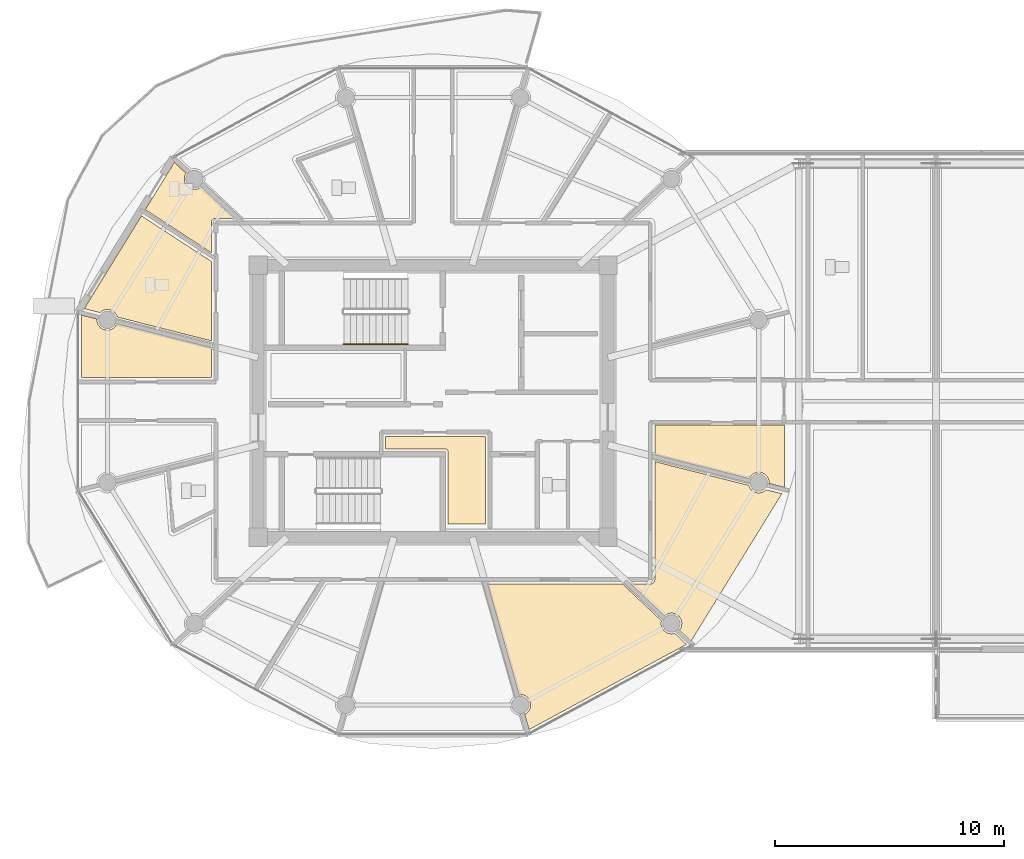
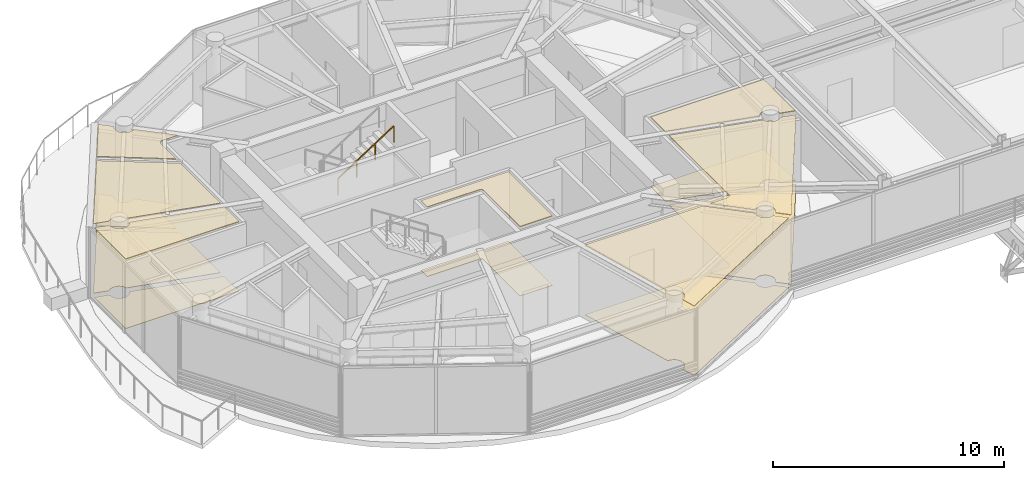
# One storey, part 23 of 31: 14 coverings, 1 railing.
"""IFC4 building model written with IfcOpenShell, lengths in metres."""

from ifc_helpers import new_model, si_unit, direction, frame, origin, origin_2d, place, context, subcontext, project, spatial, polyline, rectangle, outline, extrude, material, layer, layer_set, type_object, element, save


model = new_model("IFC4")

# Units and contexts
model_context = context("Model", 3, precision=1e-05, world=origin(), true_north=direction((0.0, 1.0)))
body_context = subcontext(model_context, "Body", "Model", "MODEL_VIEW")
ifc_project = project(units=[si_unit("LENGTHUNIT", "METRE"), si_unit("AREAUNIT", "SQUARE_METRE"), si_unit("VOLUMEUNIT", "CUBIC_METRE"), si_unit("PLANEANGLEUNIT", "RADIAN"), si_unit("MASSUNIT", "GRAM", prefix="KILO")], contexts=[model_context])

# Site, building, storey
site_placement = place(None, origin())
site = spatial("IfcSite", under=ifc_project, at=site_placement, CompositionType="ELEMENT")
building_placement = place(site_placement, origin())
building = spatial("IfcBuilding", under=site, at=building_placement, Name="Norrkilde Senior Care Towers", CompositionType="ELEMENT")
storey_placement = place(building_placement, frame((0.0, 0.0, 199.800048828125)))
storey = spatial("IfcBuildingStorey", under=building, at=storey_placement, Name="L62", CompositionType="ELEMENT", Elevation=199.800048828125)

# Coverings
ifc_material_1 = material(Name="Nordic Ash Timber", Category="wood")
ifc_layer_1 = layer(ifc_material_1, 0.044921875)
ifc_layer_set_1 = layer_set([ifc_layer_1], Name="Nordic Ash Timber")
covering_type_1 = type_object("IfcCoveringType", Name="Acoustic Ash Timber Slatted Ceiling 45", PredefinedType="CEILING", material=ifc_layer_set_1)
covering_1_placement = place(storey_placement, frame((0.0, 0.0, 3.6650390625)))
element("IfcCovering", 1, at=covering_1_placement, inside=storey, type_object=covering_type_1, Name="L62 Suspended Ceiling 0373", PredefinedType="CEILING", context=body_context, shape_type="SweptSolid", body=[
    extrude(outline(polyline([(-27.34521484375, -2.175048828125), (-27.34912109375, -2.1640625), (-27.354248046875, -2.1533203125), (-27.360107421875, -2.143310546875), (-27.3671875, -2.1337890625), (-27.375244140625, -2.125244140625), (-27.3837890625, -2.1171875), (-27.393310546875, -2.110107421875), (-27.4033203125, -2.104248046875), (-27.4140625, -2.09912109375), (-27.425048828125, -2.09521484375), (-27.4365234375, -2.09228515625), (-27.4482421875, -2.090576171875), (-27.4599609375, -2.090087890625), (-30.080078125, -2.090087890625), (-30.080078125, -1.5400390625), (-25.7099609375, -1.5400390625), (-25.7099609375, -5.3798828125), (-27.340087890625, -5.3798828125), (-27.340087890625, -2.2099609375), (-27.340576171875, -2.1982421875), (-27.34228515625, -2.1865234375), (-27.34521484375, -2.175048828125)])), origin(), (0.0, 0.0, 1.0), 0.044921875),
])
covering_2_placement = place(storey_placement, frame((0.0, 0.0, 3.6650390625)))
element("IfcCovering", 2, at=covering_2_placement, inside=storey, type_object=covering_type_1, Name="L62 Suspended Ceiling 0375", PredefinedType="CEILING", context=body_context, shape_type="SweptSolid", body=[
    extrude(outline(polyline([(-37.699951171875, 1.0400390625), (-43.37353515625, 1.0400390625), (-43.37353515625, 3.76708984375), (-42.697509765625, 3.59619140625), (-42.702392578125, 3.558837890625), (-42.68701171875, 3.44091796875), (-42.641357421875, 3.331298828125), (-42.569091796875, 3.237060546875), (-42.474853515625, 3.164794921875), (-42.365234375, 3.119384765625), (-42.247314453125, 3.103759765625), (-42.129638671875, 3.119384765625), (-42.02001953125, 3.164794921875), (-41.92578125, 3.237060546875), (-41.853271484375, 3.331298828125), (-41.834228515625, 3.377685546875), (-37.699951171875, 2.331298828125), (-37.699951171875, 1.0400390625)])), origin(), (0.0, 0.0, 1.0), 0.044921875),
])
covering_3_placement = place(storey_placement, frame((0.0, 0.0, 3.6650390625)))
element("IfcCovering", 3, at=covering_3_placement, inside=storey, type_object=covering_type_1, Name="L62 Suspended Ceiling 0378", PredefinedType="CEILING", context=body_context, shape_type="SweptSolid", body=[
    extrude(outline(polyline([(-12.62646484375, -3.76708984375), (-13.302490234375, -3.59619140625), (-13.297607421875, -3.558837890625), (-13.31298828125, -3.44091796875), (-13.358642578125, -3.331298828125), (-13.430908203125, -3.237060546875), (-13.525146484375, -3.164794921875), (-13.634765625, -3.119384765625), (-13.752685546875, -3.103759765625), (-13.870361328125, -3.119384765625), (-13.97998046875, -3.164794921875), (-14.07421875, -3.237060546875), (-14.146728515625, -3.331298828125), (-14.165771484375, -3.377685546875), (-18.300048828125, -2.331298828125), (-18.300048828125, -1.0400390625), (-12.62646484375, -1.0400390625), (-12.62646484375, -3.76708984375)])), origin(), (0.0, 0.0, 1.0), 0.044921875),
])
covering_4_placement = place(storey_placement, frame((0.0, 0.0, 3.6650390625)))
element("IfcCovering", 4, at=covering_4_placement, inside=storey, type_object=covering_type_1, Name="L62 Suspended Ceiling 0391", PredefinedType="CEILING", context=body_context, shape_type="SweptSolid", body=[
    extrude(outline(polyline([(-23.80029296875, -14.364990234375), (-23.991455078125, -13.690673828125), (-23.954833984375, -13.675537109375), (-23.860595703125, -13.603271484375), (-23.788330078125, -13.509033203125), (-23.742919921875, -13.399169921875), (-23.7275390625, -13.281494140625), (-23.742919921875, -13.163818359375), (-23.788330078125, -13.053955078125), (-23.860595703125, -12.959716796875), (-23.954833984375, -12.887451171875), (-24.064697265625, -12.842041015625), (-24.182373046875, -12.826416015625), (-24.23486328125, -12.833251953125), (-25.60595703125, -8.0), (-19.705322265625, -8.0), (-18.0087890625, -9.6025390625), (-18.009765625, -9.60498046875), (-18.025146484375, -9.72265625), (-18.009765625, -9.840576171875), (-17.964111328125, -9.9501953125), (-17.891845703125, -10.04443359375), (-17.797607421875, -10.11669921875), (-17.68798828125, -10.162109375), (-17.570068359375, -10.177734375), (-17.452392578125, -10.162109375), (-17.42724609375, -10.15185546875), (-16.91357421875, -10.636962890625), (-23.80029296875, -14.364990234375)])), origin(), (0.0, 0.0, 1.0), 0.044921875),
])
covering_5_placement = place(storey_placement, frame((0.0, 0.0, 3.6650390625)))
element("IfcCovering", 5, at=covering_5_placement, inside=storey, type_object=covering_type_1, Name="L62 Suspended Ceiling 0392", PredefinedType="CEILING", context=body_context, shape_type="SweptSolid", body=[
    extrude(outline(polyline([(-18.447509765625, -7.992919921875), (-18.436279296875, -7.989501953125), (-18.428955078125, -7.98681640625), (-18.41796875, -7.982421875), (-18.410888671875, -7.97900390625), (-18.400634765625, -7.973388671875), (-18.393798828125, -7.969482421875), (-18.384033203125, -7.962890625), (-18.377685546875, -7.958251953125), (-18.36865234375, -7.95068359375), (-18.36279296875, -7.945556640625), (-18.3544921875, -7.937255859375), (-18.34912109375, -7.931396484375), (-18.341796875, -7.92236328125), (-18.337158203125, -7.916015625), (-18.33056640625, -7.90625), (-18.326416015625, -7.8994140625), (-18.321044921875, -7.888916015625), (-18.317626953125, -7.8818359375), (-18.31298828125, -7.87109375), (-18.310546875, -7.86376953125), (-18.30712890625, -7.852294921875), (-18.30517578125, -7.8447265625), (-18.302734375, -7.833251953125), (-18.3017578125, -7.825439453125), (-18.300537109375, -7.813720703125), (-18.300048828125, -7.805908203125), (-18.300048828125, -7.800048828125), (-18.300048828125, -2.640625), (-14.190185546875, -3.680908203125), (-14.146728515625, -3.786376953125), (-14.07421875, -3.880615234375), (-13.97998046875, -3.952880859375), (-13.870361328125, -3.998291015625), (-13.752685546875, -4.013671875), (-13.634765625, -3.998291015625), (-13.525146484375, -3.952880859375), (-13.430908203125, -3.880615234375), (-13.426025390625, -3.874267578125), (-12.74267578125, -4.04736328125), (-16.71337890625, -10.495849609375), (-17.224365234375, -10.01318359375), (-17.176025390625, -9.9501953125), (-17.130615234375, -9.840576171875), (-17.115234375, -9.72265625), (-17.130615234375, -9.60498046875), (-17.176025390625, -9.4951171875), (-17.24853515625, -9.40087890625), (-17.3427734375, -9.32861328125), (-17.452392578125, -9.283203125), (-17.570068359375, -9.267822265625), (-17.68798828125, -9.283203125), (-17.797607421875, -9.32861328125), (-17.88134765625, -9.392822265625), (-19.355712890625, -8.0), (-18.5, -8.0), (-18.494140625, -7.999755859375), (-18.486328125, -7.99951171875), (-18.474609375, -7.998291015625), (-18.466796875, -7.9970703125), (-18.455322265625, -7.994873046875), (-18.447509765625, -7.992919921875)])), origin(), (0.0, 0.0, 1.0), 0.044921875),
])
ifc_material_2 = material(Name="Gypsum Acoustic Board")
ifc_layer_2 = layer(ifc_material_2, 0.030029296875)
ifc_layer_set_2 = layer_set([ifc_layer_2], Name="Gypsum Acoustic Board")
covering_type_2 = type_object("IfcCoveringType", Name="Medical Cleanable Gypsum Ceiling 30", PredefinedType="CEILING", material=ifc_layer_set_2)
covering_6_placement = place(storey_placement, frame((0.0, 0.0, 3.679931640625)))
element("IfcCovering", 6, at=covering_6_placement, inside=storey, type_object=covering_type_2, Name="L62 Suspended Ceiling 0385", PredefinedType="CEILING", context=body_context, shape_type="SweptSolid", body=[
    extrude(outline(polyline([(-37.525390625, 7.998291015625), (-37.533203125, 7.9970703125), (-37.544677734375, 7.994873046875), (-37.552490234375, 7.992919921875), (-37.563720703125, 7.989501953125), (-37.571044921875, 7.98681640625), (-37.58203125, 7.982421875), (-37.589111328125, 7.97900390625), (-37.599365234375, 7.973388671875), (-37.606201171875, 7.969482421875), (-37.615966796875, 7.962890625), (-37.622314453125, 7.958251953125), (-37.63134765625, 7.95068359375), (-37.63720703125, 7.945556640625), (-37.6455078125, 7.937255859375), (-37.65087890625, 7.931396484375), (-37.658203125, 7.92236328125), (-37.662841796875, 7.916015625), (-37.66943359375, 7.90625), (-37.673583984375, 7.8994140625), (-37.678955078125, 7.888916015625), (-37.682373046875, 7.8818359375), (-37.68701171875, 7.87109375), (-37.689453125, 7.86376953125), (-37.69287109375, 7.852294921875), (-37.69482421875, 7.8447265625), (-37.697265625, 7.833251953125), (-37.6982421875, 7.825439453125), (-37.699462890625, 7.813720703125), (-37.699951171875, 7.805908203125), (-37.699951171875, 7.800048828125), (-37.699951171875, 6.499755859375), (-40.5888671875, 8.380859375), (-39.31591796875, 10.448486328125), (-38.807373046875, 9.9716796875), (-38.823974609375, 9.9501953125), (-38.869384765625, 9.840576171875), (-38.884765625, 9.72265625), (-38.869384765625, 9.60498046875), (-38.823974609375, 9.4951171875), (-38.75146484375, 9.40087890625), (-38.6572265625, 9.32861328125), (-38.547607421875, 9.283203125), (-38.429931640625, 9.267822265625), (-38.31201171875, 9.283203125), (-38.202392578125, 9.32861328125), (-38.158203125, 9.362548828125), (-36.705322265625, 8.0), (-37.5, 8.0), (-37.505859375, 7.999755859375), (-37.513671875, 7.99951171875), (-37.525390625, 7.998291015625)])), origin(), (0.0, 0.0, 1.0), 0.030029296875),
])
covering_7_placement = place(storey_placement, frame((0.0, 0.0, 3.679931640625)))
element("IfcCovering", 7, at=covering_7_placement, inside=storey, type_object=covering_type_2, Name="L62 Suspended Ceiling 0386", PredefinedType="CEILING", context=body_context, shape_type="SweptSolid", body=[
    extrude(outline(polyline([(-40.7568359375, 8.108154296875), (-37.699951171875, 6.117919921875), (-37.699951171875, 2.640625), (-41.809814453125, 3.680908203125), (-41.853271484375, 3.786376953125), (-41.92578125, 3.880615234375), (-42.02001953125, 3.952880859375), (-42.129638671875, 3.998291015625), (-42.247314453125, 4.013671875), (-42.365234375, 3.998291015625), (-42.474853515625, 3.952880859375), (-42.569091796875, 3.880615234375), (-42.573974609375, 3.874267578125), (-43.25732421875, 4.04736328125), (-40.7568359375, 8.108154296875)])), origin(), (0.0, 0.0, 1.0), 0.030029296875),
])
ifc_material_3 = material(Name="Slip-Resistant Porcelain Stone", Category="masonry")
ifc_layer_3 = layer(ifc_material_3, 0.02490234375)
ifc_layer_set_3 = layer_set([ifc_layer_3], Name="Slip-Resistant Porcelain Stone")
covering_type_3 = type_object("IfcCoveringType", Name="Slip-Resistant Porcelain Flooring 25", PredefinedType="FLOORING", material=ifc_layer_set_3)
covering_8_placement = place(storey_placement, origin())
element("IfcCovering", 8, at=covering_8_placement, inside=storey, type_object=covering_type_3, Name="L62 Floor Finish 0373", PredefinedType="FLOORING", context=body_context, shape_type="SweptSolid", body=[
    extrude(outline(polyline([(-27.34521484375, -2.175048828125), (-27.34912109375, -2.1640625), (-27.354248046875, -2.1533203125), (-27.360107421875, -2.143310546875), (-27.3671875, -2.1337890625), (-27.375244140625, -2.125244140625), (-27.3837890625, -2.1171875), (-27.393310546875, -2.110107421875), (-27.4033203125, -2.104248046875), (-27.4140625, -2.09912109375), (-27.425048828125, -2.09521484375), (-27.4365234375, -2.09228515625), (-27.4482421875, -2.090576171875), (-27.4599609375, -2.090087890625), (-30.080078125, -2.090087890625), (-30.080078125, -1.5400390625), (-25.7099609375, -1.5400390625), (-25.7099609375, -5.3798828125), (-27.340087890625, -5.3798828125), (-27.340087890625, -2.2099609375), (-27.340576171875, -2.1982421875), (-27.34228515625, -2.1865234375), (-27.34521484375, -2.175048828125)])), origin(), (0.0, 0.0, 1.0), 0.02490234375),
])
covering_9_placement = place(storey_placement, origin())
element("IfcCovering", 9, at=covering_9_placement, inside=storey, type_object=covering_type_3, Name="L62 Floor Finish 0375", PredefinedType="FLOORING", context=body_context, shape_type="SweptSolid", body=[
    extrude(outline(polyline([(-37.699951171875, 1.0400390625), (-43.37353515625, 1.0400390625), (-43.37353515625, 3.76708984375), (-42.697509765625, 3.59619140625), (-42.702392578125, 3.558837890625), (-42.68701171875, 3.44091796875), (-42.641357421875, 3.331298828125), (-42.569091796875, 3.237060546875), (-42.474853515625, 3.164794921875), (-42.365234375, 3.119384765625), (-42.247314453125, 3.103759765625), (-42.129638671875, 3.119384765625), (-42.02001953125, 3.164794921875), (-41.92578125, 3.237060546875), (-41.853271484375, 3.331298828125), (-41.834228515625, 3.377685546875), (-37.699951171875, 2.331298828125), (-37.699951171875, 1.0400390625)])), origin(), (0.0, 0.0, 1.0), 0.02490234375),
])
covering_10_placement = place(storey_placement, origin())
element("IfcCovering", 10, at=covering_10_placement, inside=storey, type_object=covering_type_3, Name="L62 Floor Finish 0378", PredefinedType="FLOORING", context=body_context, shape_type="SweptSolid", body=[
    extrude(outline(polyline([(-12.62646484375, -3.76708984375), (-13.302490234375, -3.59619140625), (-13.297607421875, -3.558837890625), (-13.31298828125, -3.44091796875), (-13.358642578125, -3.331298828125), (-13.430908203125, -3.237060546875), (-13.525146484375, -3.164794921875), (-13.634765625, -3.119384765625), (-13.752685546875, -3.103759765625), (-13.870361328125, -3.119384765625), (-13.97998046875, -3.164794921875), (-14.07421875, -3.237060546875), (-14.146728515625, -3.331298828125), (-14.165771484375, -3.377685546875), (-18.300048828125, -2.331298828125), (-18.300048828125, -1.0400390625), (-12.62646484375, -1.0400390625), (-12.62646484375, -3.76708984375)])), origin(), (0.0, 0.0, 1.0), 0.02490234375),
])
covering_11_placement = place(storey_placement, origin())
element("IfcCovering", 11, at=covering_11_placement, inside=storey, type_object=covering_type_3, Name="L62 Floor Finish 0385", PredefinedType="FLOORING", context=body_context, shape_type="SweptSolid", body=[
    extrude(outline(polyline([(-37.525390625, 7.998291015625), (-37.533203125, 7.9970703125), (-37.544677734375, 7.994873046875), (-37.552490234375, 7.992919921875), (-37.563720703125, 7.989501953125), (-37.571044921875, 7.98681640625), (-37.58203125, 7.982421875), (-37.589111328125, 7.97900390625), (-37.599365234375, 7.973388671875), (-37.606201171875, 7.969482421875), (-37.615966796875, 7.962890625), (-37.622314453125, 7.958251953125), (-37.63134765625, 7.95068359375), (-37.63720703125, 7.945556640625), (-37.6455078125, 7.937255859375), (-37.65087890625, 7.931396484375), (-37.658203125, 7.92236328125), (-37.662841796875, 7.916015625), (-37.66943359375, 7.90625), (-37.673583984375, 7.8994140625), (-37.678955078125, 7.888916015625), (-37.682373046875, 7.8818359375), (-37.68701171875, 7.87109375), (-37.689453125, 7.86376953125), (-37.69287109375, 7.852294921875), (-37.69482421875, 7.8447265625), (-37.697265625, 7.833251953125), (-37.6982421875, 7.825439453125), (-37.699462890625, 7.813720703125), (-37.699951171875, 7.805908203125), (-37.699951171875, 7.800048828125), (-37.699951171875, 6.499755859375), (-40.5888671875, 8.380859375), (-39.31591796875, 10.448486328125), (-38.807373046875, 9.9716796875), (-38.823974609375, 9.9501953125), (-38.869384765625, 9.840576171875), (-38.884765625, 9.72265625), (-38.869384765625, 9.60498046875), (-38.823974609375, 9.4951171875), (-38.75146484375, 9.40087890625), (-38.6572265625, 9.32861328125), (-38.547607421875, 9.283203125), (-38.429931640625, 9.267822265625), (-38.31201171875, 9.283203125), (-38.202392578125, 9.32861328125), (-38.158203125, 9.362548828125), (-36.705322265625, 8.0), (-37.5, 8.0), (-37.505859375, 7.999755859375), (-37.513671875, 7.99951171875), (-37.525390625, 7.998291015625)])), origin(), (0.0, 0.0, 1.0), 0.02490234375),
])
covering_12_placement = place(storey_placement, origin())
element("IfcCovering", 12, at=covering_12_placement, inside=storey, type_object=covering_type_3, Name="L62 Floor Finish 0386", PredefinedType="FLOORING", context=body_context, shape_type="SweptSolid", body=[
    extrude(outline(polyline([(-40.7568359375, 8.108154296875), (-37.699951171875, 6.117919921875), (-37.699951171875, 2.640625), (-41.809814453125, 3.680908203125), (-41.853271484375, 3.786376953125), (-41.92578125, 3.880615234375), (-42.02001953125, 3.952880859375), (-42.129638671875, 3.998291015625), (-42.247314453125, 4.013671875), (-42.365234375, 3.998291015625), (-42.474853515625, 3.952880859375), (-42.569091796875, 3.880615234375), (-42.573974609375, 3.874267578125), (-43.25732421875, 4.04736328125), (-40.7568359375, 8.108154296875)])), origin(), (0.0, 0.0, 1.0), 0.02490234375),
])
covering_13_placement = place(storey_placement, origin())
element("IfcCovering", 13, at=covering_13_placement, inside=storey, type_object=covering_type_3, Name="L62 Floor Finish 0391", PredefinedType="FLOORING", context=body_context, shape_type="SweptSolid", body=[
    extrude(outline(polyline([(-23.80029296875, -14.364990234375), (-23.991455078125, -13.690673828125), (-23.954833984375, -13.675537109375), (-23.860595703125, -13.603271484375), (-23.788330078125, -13.509033203125), (-23.742919921875, -13.399169921875), (-23.7275390625, -13.281494140625), (-23.742919921875, -13.163818359375), (-23.788330078125, -13.053955078125), (-23.860595703125, -12.959716796875), (-23.954833984375, -12.887451171875), (-24.064697265625, -12.842041015625), (-24.182373046875, -12.826416015625), (-24.23486328125, -12.833251953125), (-25.60595703125, -8.0), (-19.705322265625, -8.0), (-18.0087890625, -9.6025390625), (-18.009765625, -9.60498046875), (-18.025146484375, -9.72265625), (-18.009765625, -9.840576171875), (-17.964111328125, -9.9501953125), (-17.891845703125, -10.04443359375), (-17.797607421875, -10.11669921875), (-17.68798828125, -10.162109375), (-17.570068359375, -10.177734375), (-17.452392578125, -10.162109375), (-17.42724609375, -10.15185546875), (-16.91357421875, -10.636962890625), (-23.80029296875, -14.364990234375)])), origin(), (0.0, 0.0, 1.0), 0.02490234375),
])
covering_14_placement = place(storey_placement, origin())
element("IfcCovering", 14, at=covering_14_placement, inside=storey, type_object=covering_type_3, Name="L62 Floor Finish 0392", PredefinedType="FLOORING", context=body_context, shape_type="SweptSolid", body=[
    extrude(outline(polyline([(-18.447509765625, -7.992919921875), (-18.436279296875, -7.989501953125), (-18.428955078125, -7.98681640625), (-18.41796875, -7.982421875), (-18.410888671875, -7.97900390625), (-18.400634765625, -7.973388671875), (-18.393798828125, -7.969482421875), (-18.384033203125, -7.962890625), (-18.377685546875, -7.958251953125), (-18.36865234375, -7.95068359375), (-18.36279296875, -7.945556640625), (-18.3544921875, -7.937255859375), (-18.34912109375, -7.931396484375), (-18.341796875, -7.92236328125), (-18.337158203125, -7.916015625), (-18.33056640625, -7.90625), (-18.326416015625, -7.8994140625), (-18.321044921875, -7.888916015625), (-18.317626953125, -7.8818359375), (-18.31298828125, -7.87109375), (-18.310546875, -7.86376953125), (-18.30712890625, -7.852294921875), (-18.30517578125, -7.8447265625), (-18.302734375, -7.833251953125), (-18.3017578125, -7.825439453125), (-18.300537109375, -7.813720703125), (-18.300048828125, -7.805908203125), (-18.300048828125, -7.800048828125), (-18.300048828125, -2.640625), (-14.190185546875, -3.680908203125), (-14.146728515625, -3.786376953125), (-14.07421875, -3.880615234375), (-13.97998046875, -3.952880859375), (-13.870361328125, -3.998291015625), (-13.752685546875, -4.013671875), (-13.634765625, -3.998291015625), (-13.525146484375, -3.952880859375), (-13.430908203125, -3.880615234375), (-13.426025390625, -3.874267578125), (-12.74267578125, -4.04736328125), (-16.71337890625, -10.495849609375), (-17.224365234375, -10.01318359375), (-17.176025390625, -9.9501953125), (-17.130615234375, -9.840576171875), (-17.115234375, -9.72265625), (-17.130615234375, -9.60498046875), (-17.176025390625, -9.4951171875), (-17.24853515625, -9.40087890625), (-17.3427734375, -9.32861328125), (-17.452392578125, -9.283203125), (-17.570068359375, -9.267822265625), (-17.68798828125, -9.283203125), (-17.797607421875, -9.32861328125), (-17.88134765625, -9.392822265625), (-19.355712890625, -8.0), (-18.5, -8.0), (-18.494140625, -7.999755859375), (-18.486328125, -7.99951171875), (-18.474609375, -7.998291015625), (-18.466796875, -7.9970703125), (-18.455322265625, -7.994873046875), (-18.447509765625, -7.992919921875)])), origin(), (0.0, 0.0, 1.0), 0.02490234375),
])

# Railing
railing_type = type_object("IfcRailingType", Name="Wall and Stair Handrail 900", PredefinedType="HANDRAIL", material=ifc_material_1)
railing_placement = place(storey_placement, frame((-31.89990234375, 2.5, 2.181884765625)))
element("IfcRailing", 15, at=railing_placement, inside=storey, type_object=railing_type, Name="L62 ST-W1 stair handrail 2", PredefinedType="HANDRAIL", context=body_context, shape_type="SweptSolid", body=[
    extrude(rectangle(XDim=0.048095703125, YDim=0.048095703125, at=origin_2d()), frame((0.0, 0.0, 0.8759765625), z_axis=(0.83868413941, 0.0, 0.544618136222), x_axis=(0.0, 1.0, 0.0)), (0.0, 0.0, 1.0), 3.33837890625),
    extrude(rectangle(XDim=0.0419921875, YDim=0.0419921875, at=origin_2d()), origin(), (0.0, 0.0, 1.0), 0.849853515625),
    extrude(rectangle(XDim=0.0419921875, YDim=0.0419921875, at=origin_2d()), frame((0.933349609375, 0.0, 0.60595703125)), (0.0, 0.0, 1.0), 0.849853515625),
    extrude(rectangle(XDim=0.0419921875, YDim=0.0419921875, at=origin_2d()), frame((1.866455078125, 0.0, 1.212158203125)), (0.0, 0.0, 1.0), 0.849853515625),
    extrude(rectangle(XDim=0.0419921875, YDim=0.0419921875, at=origin_2d()), frame((2.7998046875, 0.0, 1.818115234375)), (0.0, 0.0, 1.0), 0.849853515625),
])

save(model, "model.ifc")
